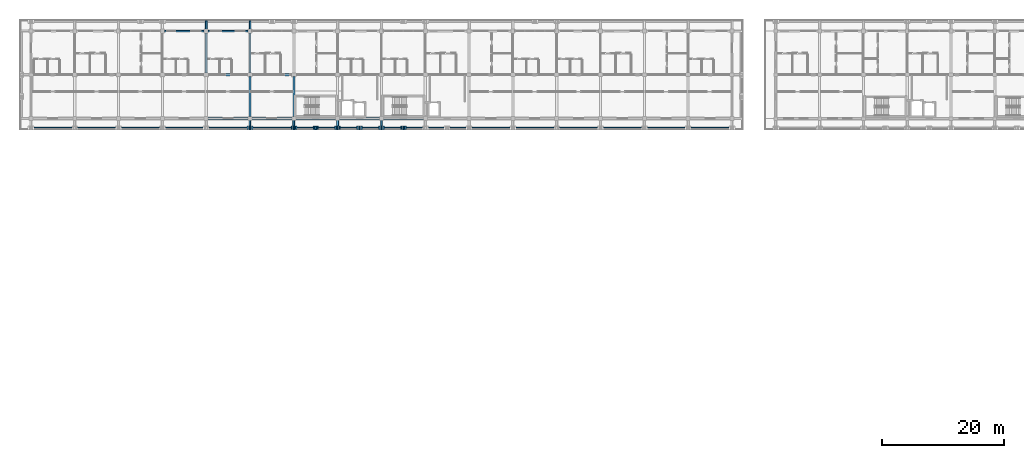
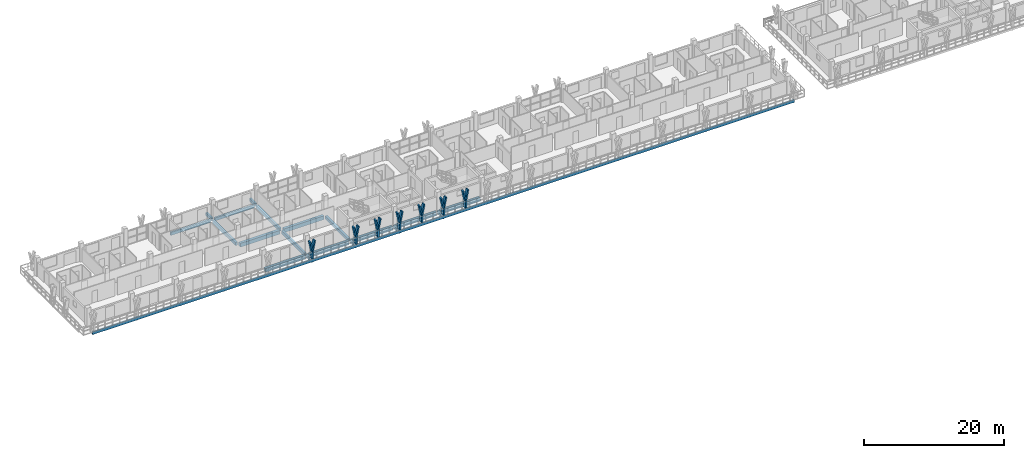
# One storey, part 11 of 76: 21 members, 20 beams.
"""IFC4 building model written with IfcOpenShell, lengths in metres."""

from ifc_helpers import new_model, si_unit, direction, frame, origin, origin_2d, place, context, subcontext, project, spatial, rectangle, extrude, material, material_profile, profile_set, type_object, element, save


model = new_model("IFC4")

# Units and contexts
model_context = context("Model", 3, precision=1e-05, world=origin(), true_north=direction((0.0, 1.0)))
body_context = subcontext(model_context, "Body", "Model", "MODEL_VIEW")
ifc_project = project(units=[si_unit("LENGTHUNIT", "METRE"), si_unit("AREAUNIT", "SQUARE_METRE"), si_unit("VOLUMEUNIT", "CUBIC_METRE"), si_unit("PLANEANGLEUNIT", "RADIAN"), si_unit("MASSUNIT", "GRAM", prefix="KILO")], contexts=[model_context])

# Site, building, storey
site_placement = place(None, origin())
site = spatial("IfcSite", under=ifc_project, at=site_placement, CompositionType="ELEMENT")
building_placement = place(site_placement, origin())
building = spatial("IfcBuilding", under=site, at=building_placement, Name="Suanplinth Sawtooth Commons", CompositionType="ELEMENT")
storey_placement = place(building_placement, frame((0.0, 0.0, 12.199951171875)))
storey = spatial("IfcBuildingStorey", under=building, at=storey_placement, Name="L03", CompositionType="ELEMENT", Elevation=12.199951171875)

# Beams
ifc_material_1 = material(Name="Precast concrete C40/50", Category="concrete")
ifc_material_profile_1 = material_profile(ifc_material_1, rectangle(XDim=0.449951171875, YDim=0.64990234375, at=origin_2d()), Name="PC-GDR 450x650")
ifc_profile_set_1 = profile_set([ifc_material_profile_1], Name="Precast concrete C40/50")
beam_type_1 = type_object("IfcBeamType", Name="B-04", PredefinedType="USERDEFINED", material=ifc_profile_set_1)
for number, where, z_axis, x_axis, name in (
    (1, (29.125, 108.0, -0.56494140625), (1.0, 0.0, 0.0), (0.0, 1.0, 0.0), "BMX-L03-A-4-15"),
    (2, (29.125, 115.199951171875, -0.56494140625), (1.0, 0.0, 0.0), (0.0, 1.0, 0.0), "BMX-L03-A-4-16"),
    (3, (36.324951171875, 108.0, -0.56494140625), (1.0, 0.0, 0.0), (0.0, 1.0, 0.0), "BMX-L03-A-5-15"),
    (4, (36.324951171875, 115.199951171875, -0.56494140625), (1.0, 0.0, 0.0), (0.0, 1.0, 0.0), "BMX-L03-A-5-16"),
    (5, (43.52490234375, 108.0, -0.56494140625), (1.0, 0.0, 0.0), (0.0, 1.0, 0.0), "BMX-L03-A-6-15"),
):
    element("IfcBeam", number, at=place(storey_placement, frame(where, z_axis=z_axis, x_axis=x_axis)), inside=storey, type_object=beam_type_1, Name=name, ObjectType="GIRDER", PredefinedType="USERDEFINED", context=body_context, shape_type="SweptSolid", body=[
        extrude(rectangle(XDim=0.449951171875, YDim=0.64990234375, at=origin_2d()), origin(), (0.0, 0.0, 1.0), 6.550048828125),
    ])
beam_1_placement = place(storey_placement, frame((50.72509765625, 108.0, -0.56494140625), z_axis=(1.0, 0.0, 0.0), x_axis=(0.0, 1.0, 0.0)))
element("IfcBeam", 6, at=beam_1_placement, inside=storey, type_object=beam_type_1, Name="BMX-L03-A-7-15", ObjectType="GIRDER", PredefinedType="USERDEFINED", context=body_context, shape_type="SweptSolid", body=[
    extrude(rectangle(XDim=0.449951171875, YDim=0.64990234375, at=origin_2d()), origin(), (0.0, 0.0, 1.0), 6.5498046875),
])
beam_2_placement = place(storey_placement, frame((57.925048828125, 108.0, -0.56494140625), z_axis=(1.0, 0.0, 0.0), x_axis=(0.0, 1.0, 0.0)))
element("IfcBeam", 7, at=beam_2_placement, inside=storey, type_object=beam_type_1, Name="BMX-L03-A-8-15", ObjectType="GIRDER", PredefinedType="USERDEFINED", context=body_context, shape_type="SweptSolid", body=[
    extrude(rectangle(XDim=0.449951171875, YDim=0.64990234375, at=origin_2d()), origin(), (0.0, 0.0, 1.0), 6.550048828125),
])
ifc_material_profile_2 = material_profile(ifc_material_1, rectangle(XDim=0.35009765625, YDim=0.550048828125, at=origin_2d()), Name="PC-BM 350x550")
ifc_profile_set_2 = profile_set([ifc_material_profile_2], Name="Precast concrete C40/50")
beam_type_2 = type_object("IfcBeamType", Name="B-06", PredefinedType="BEAM", material=ifc_profile_set_2)
for number, where, z_axis, x_axis, name in (
    (8, (28.800048828125, 115.52490234375, -0.514892578125), (0.0, 1.0, 0.0), (-1.0, 0.0, 0.0), "BMY-L03-A-4-16"),
    (9, (36.0, 108.324951171875, -0.514892578125), (0.0, 1.0, 0.0), (-1.0, 0.0, 0.0), "BMY-L03-A-5-15"),
    (10, (36.0, 115.52490234375, -0.514892578125), (0.0, 1.0, 0.0), (-1.0, 0.0, 0.0), "BMY-L03-A-5-16"),
    (11, (43.199951171875, 108.324951171875, -0.514892578125), (0.0, 1.0, 0.0), (-1.0, 0.0, 0.0), "BMY-L03-A-6-15"),
):
    element("IfcBeam", number, at=place(storey_placement, frame(where, z_axis=z_axis, x_axis=x_axis)), inside=storey, type_object=beam_type_2, Name=name, PredefinedType="BEAM", context=body_context, shape_type="SweptSolid", body=[
        extrude(rectangle(XDim=0.35009765625, YDim=0.550048828125, at=origin_2d()), origin(), (0.0, 0.0, 1.0), 6.550048828125),
    ])
ifc_material_profile_3 = material_profile(ifc_material_1, rectangle(XDim=0.300048828125, YDim=0.5, at=origin_2d()), Name="PC-BM 300x500")
ifc_profile_set_3 = profile_set([ifc_material_profile_3], Name="Precast concrete C40/50")
beam_type_3 = type_object("IfcBeamType", Name="B-07", PredefinedType="BEAM", material=ifc_profile_set_3)
for number, where, z_axis, x_axis, name in (
    (12, (28.800048828125, 122.39990234375, -0.429931640625), (0.0, 1.0, 0.0), (-1.0, 0.0, 0.0), "Balcony Outrigger L03-A-N-4"),
    (13, (36.0, 122.39990234375, -0.429931640625), (0.0, 1.0, 0.0), (-1.0, 0.0, 0.0), "Balcony Outrigger L03-A-N-5"),
):
    element("IfcBeam", number, at=place(storey_placement, frame(where, z_axis=z_axis, x_axis=x_axis)), inside=storey, type_object=beam_type_3, Name=name, PredefinedType="BEAM", context=body_context, shape_type="SweptSolid", body=[
        extrude(rectangle(XDim=0.300048828125, YDim=0.5, at=origin_2d()), origin(), (0.0, 0.0, 1.0), 1.64013671875),
    ])
for number, where, z_axis, x_axis, name in (
    (14, (36.0, 108.0, -0.429931640625), (0.0, -1.0, 0.0), (1.0, 0.0, 0.0), "Balcony Outrigger L03-A-S-5"),
    (15, (43.199951171875, 108.0, -0.429931640625), (0.0, -1.0, 0.0), (1.0, 0.0, 0.0), "Balcony Outrigger L03-A-S-6"),
    (16, (50.39990234375, 108.0, -0.429931640625), (0.0, -1.0, 0.0), (1.0, 0.0, 0.0), "Balcony Outrigger L03-A-S-7"),
    (17, (57.60009765625, 108.0, -0.429931640625), (0.0, -1.0, 0.0), (1.0, 0.0, 0.0), "Balcony Outrigger L03-A-S-8"),
):
    element("IfcBeam", number, at=place(storey_placement, frame(where, z_axis=z_axis, x_axis=x_axis)), inside=storey, type_object=beam_type_3, Name=name, PredefinedType="BEAM", context=body_context, shape_type="SweptSolid", body=[
        extrude(rectangle(XDim=0.300048828125, YDim=0.5, at=origin_2d()), origin(), (0.0, 0.0, 1.0), 1.639892578125),
    ])
ifc_material_profile_4 = material_profile(ifc_material_1, rectangle(XDim=0.280029296875, YDim=0.52001953125, at=origin_2d()), Name="PC-SP 280x520")
ifc_profile_set_4 = profile_set([ifc_material_profile_4], Name="Precast concrete C40/50")
beam_type_4 = type_object("IfcBeamType", Name="B-08", PredefinedType="SPANDREL", material=ifc_profile_set_4)
for number, where, z_axis, x_axis, name in (
    (18, (21.925048828125, 122.39990234375, -0.5), (1.0, 0.0, 0.0), (0.0, 1.0, 0.0), "BMX-L03-A-3-17"),
    (19, (29.125, 122.39990234375, -0.5), (1.0, 0.0, 0.0), (0.0, 1.0, 0.0), "BMX-L03-A-4-17"),
):
    element("IfcBeam", number, at=place(storey_placement, frame(where, z_axis=z_axis, x_axis=x_axis)), inside=storey, type_object=beam_type_4, Name=name, PredefinedType="SPANDREL", context=body_context, shape_type="SweptSolid", body=[
        extrude(rectangle(XDim=0.280029296875, YDim=0.52001953125, at=origin_2d()), origin(), (0.0, 0.0, 1.0), 6.550048828125),
    ])
ifc_material_profile_5 = material_profile(ifc_material_1, rectangle(XDim=0.25, YDim=0.449951171875, at=origin_2d()), Name="PC-SP 250x450")
ifc_profile_set_5 = profile_set([ifc_material_profile_5], Name="Precast concrete C40/50")
beam_type_5 = type_object("IfcBeamType", Name="B-09", PredefinedType="SPANDREL", material=ifc_profile_set_5)
beam_3_placement = place(storey_placement, frame((-0.14990234375, 106.47998046875, -0.405029296875), z_axis=(1.0, 0.0, 0.0), x_axis=(0.0, 1.0, 0.0)))
element("IfcBeam", 20, at=beam_3_placement, inside=storey, type_object=beam_type_5, Name="Balcony Edge Fascia L03-A-S", PredefinedType="SPANDREL", context=body_context, shape_type="SweptSolid", body=[
    extrude(rectangle(XDim=0.25, YDim=0.449951171875, at=origin_2d()), origin(), (0.0, 0.0, 1.0), 115.5),
])

# Members
ifc_material_2 = material(Name="Pigmented precast concrete C40/50", Category="concrete")
ifc_material_profile_6 = material_profile(ifc_material_2, rectangle(XDim=0.260009765625, YDim=0.550048828125, at=origin_2d()), Name="PC-FIN 260x550")
ifc_profile_set_6 = profile_set([ifc_material_profile_6], Name="Pigmented precast concrete C40/50")
member_type_1 = type_object("IfcMemberType", Name="M-09", PredefinedType="USERDEFINED", material=ifc_profile_set_6)
for number, where, z_axis, x_axis, name in (
    (21, (36.0, 106.47998046875, 0.0), (0.0, 0.0, 1.0), (1.0, 0.0, 0.0), "Y-Blade Stem L03-A-S-15"),
    (22, (43.199951171875, 106.47998046875, 0.0), (0.0, 0.0, 1.0), (1.0, 0.0, 0.0), "Y-Blade Stem L03-A-S-16"),
    (23, (46.800048828125, 106.47998046875, 0.0), (0.0, 0.0, 1.0), (1.0, 0.0, 0.0), "Y-Blade Stem L03-A-S-17"),
    (24, (50.39990234375, 106.47998046875, 0.0), (0.0, 0.0, 1.0), (1.0, 0.0, 0.0), "Y-Blade Stem L03-A-S-18"),
    (25, (54.0, 106.47998046875, 0.0), (0.0, 0.0, 1.0), (1.0, 0.0, 0.0), "Y-Blade Stem L03-A-S-19"),
    (26, (57.60009765625, 106.47998046875, 0.0), (0.0, 0.0, 1.0), (1.0, 0.0, 0.0), "Y-Blade Stem L03-A-S-20"),
    (27, (61.199951171875, 106.47998046875, 0.0), (0.0, 0.0, 1.0), (1.0, 0.0, 0.0), "Y-Blade Stem L03-A-S-21"),
):
    element("IfcMember", number, at=place(storey_placement, frame(where, z_axis=z_axis, x_axis=x_axis)), inside=storey, type_object=member_type_1, Name=name, ObjectType="SHADING FIN", PredefinedType="USERDEFINED", context=body_context, shape_type="SweptSolid", body=[
        extrude(rectangle(XDim=0.260009765625, YDim=0.550048828125, at=origin_2d()), origin(), (0.0, 0.0, 1.0), 1.170166015625),
    ])
ifc_material_profile_7 = material_profile(ifc_material_2, rectangle(XDim=0.219970703125, YDim=0.550048828125, at=origin_2d()), Name="PC-FIN 220x550")
ifc_profile_set_7 = profile_set([ifc_material_profile_7], Name="Pigmented precast concrete C40/50")
member_type_2 = type_object("IfcMemberType", Name="M-10", PredefinedType="USERDEFINED", material=ifc_profile_set_7)
for number, where, z_axis, x_axis, name in (
    (28, (36.0, 106.47998046875, 1.130126953125), (-0.196431120402, 0.0, 0.980517626021), (0.980517626021, 0.0, 0.196431120402), "Y-Blade Arm L L03-A-S-15"),
    (29, (36.0, 106.47998046875, 1.130126953125), (0.196431120402, 0.0, 0.980517626021), (-0.980517626021, 0.0, 0.196431120402), "Y-Blade Arm R L03-A-S-15"),
):
    element("IfcMember", number, at=place(storey_placement, frame(where, z_axis=z_axis, x_axis=x_axis)), inside=storey, type_object=member_type_2, Name=name, ObjectType="SHADING FIN", PredefinedType="USERDEFINED", context=body_context, shape_type="SweptSolid", body=[
        extrude(rectangle(XDim=0.219970703125, YDim=0.550048828125, at=origin_2d()), origin(), (0.0, 0.0, 1.0), 1.937744140625),
    ])
member_1_placement = place(storey_placement, frame((43.199951171875, 106.47998046875, 1.130126953125), z_axis=(-0.196309979414, 0.0, 0.980541886909), x_axis=(0.980541886909, 0.0, 0.196309979414)))
element("IfcMember", 30, at=member_1_placement, inside=storey, type_object=member_type_2, Name="Y-Blade Arm L L03-A-S-16", ObjectType="SHADING FIN", PredefinedType="USERDEFINED", context=body_context, shape_type="SweptSolid", body=[
    extrude(rectangle(XDim=0.219970703125, YDim=0.550048828125, at=origin_2d()), origin(), (0.0, 0.0, 1.0), 1.9375),
])
for number, where, z_axis, x_axis, name in (
    (31, (43.199951171875, 106.47998046875, 1.130126953125), (0.196431120402, 0.0, 0.980517626021), (-0.980517626021, 0.0, 0.196431120402), "Y-Blade Arm R L03-A-S-16"),
    (32, (46.800048828125, 106.47998046875, 1.130126953125), (-0.196431120402, 0.0, 0.980517626021), (0.980517626021, 0.0, 0.196431120402), "Y-Blade Arm L L03-A-S-17"),
):
    element("IfcMember", number, at=place(storey_placement, frame(where, z_axis=z_axis, x_axis=x_axis)), inside=storey, type_object=member_type_2, Name=name, ObjectType="SHADING FIN", PredefinedType="USERDEFINED", context=body_context, shape_type="SweptSolid", body=[
        extrude(rectangle(XDim=0.219970703125, YDim=0.550048828125, at=origin_2d()), origin(), (0.0, 0.0, 1.0), 1.937744140625),
    ])
for number, where, z_axis, x_axis, name in (
    (33, (46.800048828125, 106.47998046875, 1.130126953125), (0.196309979414, 0.0, 0.980541886909), (-0.980541886909, 0.0, 0.196309979414), "Y-Blade Arm R L03-A-S-17"),
    (34, (50.39990234375, 106.47998046875, 1.130126953125), (-0.196309979414, 0.0, 0.980541886909), (0.980541886909, 0.0, 0.196309979414), "Y-Blade Arm L L03-A-S-18"),
):
    element("IfcMember", number, at=place(storey_placement, frame(where, z_axis=z_axis, x_axis=x_axis)), inside=storey, type_object=member_type_2, Name=name, ObjectType="SHADING FIN", PredefinedType="USERDEFINED", context=body_context, shape_type="SweptSolid", body=[
        extrude(rectangle(XDim=0.219970703125, YDim=0.550048828125, at=origin_2d()), origin(), (0.0, 0.0, 1.0), 1.9375),
    ])
for number, where, z_axis, x_axis, name in (
    (35, (50.39990234375, 106.47998046875, 1.130126953125), (0.196431120402, 0.0, 0.980517626021), (-0.980517626021, 0.0, 0.196431120402), "Y-Blade Arm R L03-A-S-18"),
    (36, (54.0, 106.47998046875, 1.130126953125), (-0.196431120402, 0.0, 0.980517626021), (0.980517626021, 0.0, 0.196431120402), "Y-Blade Arm L L03-A-S-19"),
    (37, (54.0, 106.47998046875, 1.130126953125), (0.196431120402, 0.0, 0.980517626021), (-0.980517626021, 0.0, 0.196431120402), "Y-Blade Arm R L03-A-S-19"),
    (38, (57.60009765625, 106.47998046875, 1.130126953125), (-0.196431120402, 0.0, 0.980517626021), (0.980517626021, 0.0, 0.196431120402), "Y-Blade Arm L L03-A-S-20"),
):
    element("IfcMember", number, at=place(storey_placement, frame(where, z_axis=z_axis, x_axis=x_axis)), inside=storey, type_object=member_type_2, Name=name, ObjectType="SHADING FIN", PredefinedType="USERDEFINED", context=body_context, shape_type="SweptSolid", body=[
        extrude(rectangle(XDim=0.219970703125, YDim=0.550048828125, at=origin_2d()), origin(), (0.0, 0.0, 1.0), 1.937744140625),
    ])
for number, where, z_axis, x_axis, name in (
    (39, (57.60009765625, 106.47998046875, 1.130126953125), (0.196309979414, 0.0, 0.980541886909), (-0.980541886909, 0.0, 0.196309979414), "Y-Blade Arm R L03-A-S-20"),
    (40, (61.199951171875, 106.47998046875, 1.130126953125), (-0.196309979414, 0.0, 0.980541886909), (0.980541886909, 0.0, 0.196309979414), "Y-Blade Arm L L03-A-S-21"),
):
    element("IfcMember", number, at=place(storey_placement, frame(where, z_axis=z_axis, x_axis=x_axis)), inside=storey, type_object=member_type_2, Name=name, ObjectType="SHADING FIN", PredefinedType="USERDEFINED", context=body_context, shape_type="SweptSolid", body=[
        extrude(rectangle(XDim=0.219970703125, YDim=0.550048828125, at=origin_2d()), origin(), (0.0, 0.0, 1.0), 1.9375),
    ])
member_2_placement = place(storey_placement, frame((61.199951171875, 106.47998046875, 1.130126953125), z_axis=(0.196431120402, 0.0, 0.980517626021), x_axis=(-0.980517626021, 0.0, 0.196431120402)))
element("IfcMember", 41, at=member_2_placement, inside=storey, type_object=member_type_2, Name="Y-Blade Arm R L03-A-S-21", ObjectType="SHADING FIN", PredefinedType="USERDEFINED", context=body_context, shape_type="SweptSolid", body=[
    extrude(rectangle(XDim=0.219970703125, YDim=0.550048828125, at=origin_2d()), origin(), (0.0, 0.0, 1.0), 1.937744140625),
])

save(model, "model.ifc")
